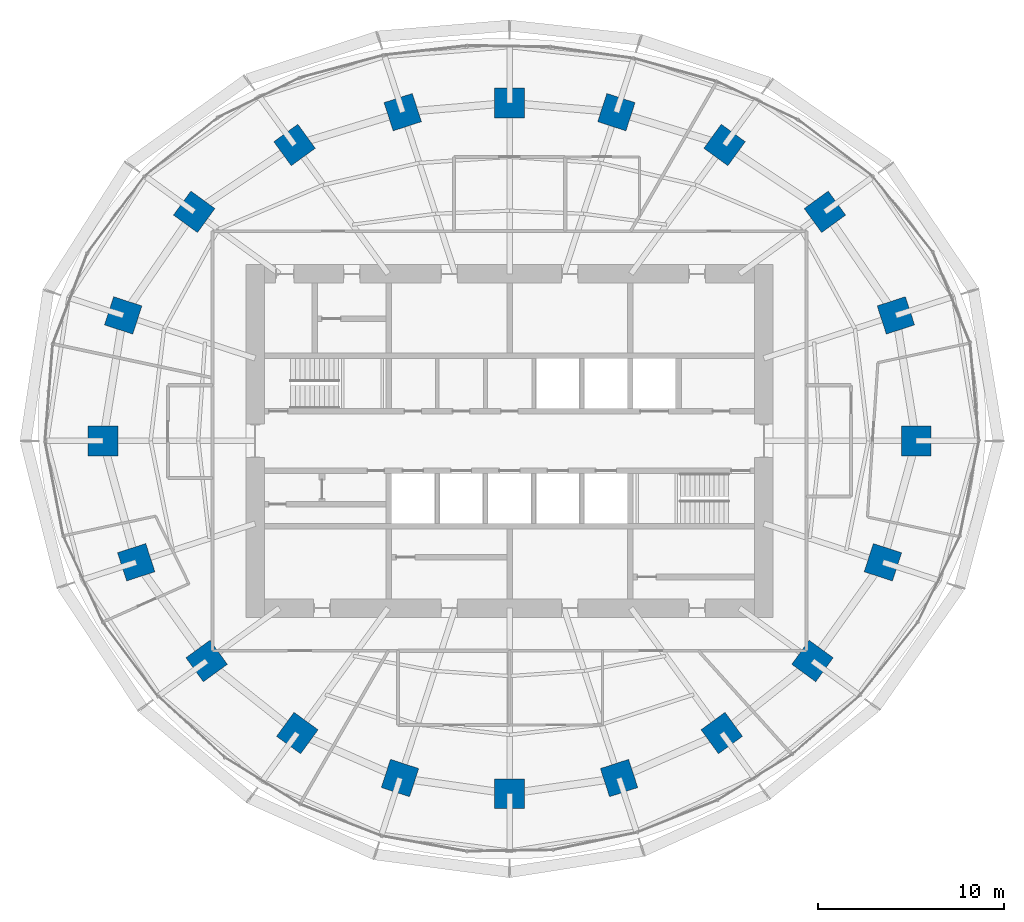
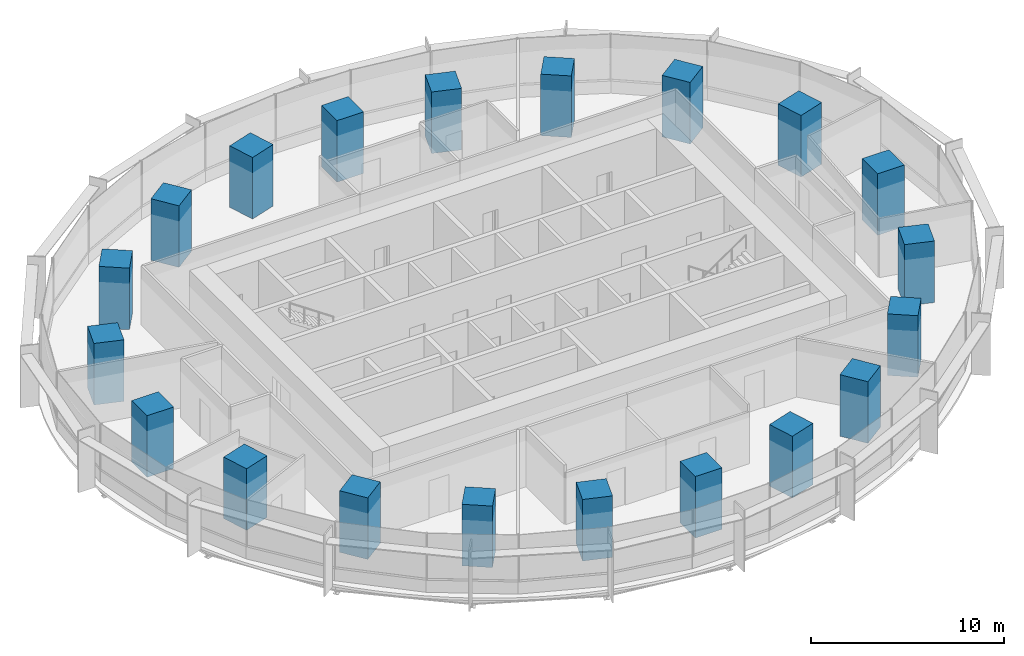
# One storey, part 1 of 14: 20 columns.
"""IFC4 building model written with IfcOpenShell, lengths in metres."""

from ifc_helpers import new_model, si_unit, direction, frame, origin, origin_2d, place, context, subcontext, project, spatial, rectangle, extrude, material, material_profile, profile_set, type_object, element, save


model = new_model("IFC4")

# Units and contexts
model_context = context("Model", 3, precision=1e-05, world=origin(), true_north=direction((0.0, 1.0)))
body_context = subcontext(model_context, "Body", "Model", "MODEL_VIEW")
ifc_project = project(units=[si_unit("LENGTHUNIT", "METRE"), si_unit("AREAUNIT", "SQUARE_METRE"), si_unit("VOLUMEUNIT", "CUBIC_METRE"), si_unit("PLANEANGLEUNIT", "RADIAN"), si_unit("MASSUNIT", "GRAM", prefix="KILO")], contexts=[model_context])

# Site, building, storey
site_placement = place(None, origin())
site = spatial("IfcSite", under=ifc_project, at=site_placement, CompositionType="ELEMENT")
building_placement = place(site_placement, origin())
building = spatial("IfcBuilding", under=site, at=building_placement, Name="Marramba Exchange Tower", CompositionType="ELEMENT")
storey_placement = place(building_placement, frame((0.0, 0.0, 119.699951171875)))
storey = spatial("IfcBuildingStorey", under=building, at=storey_placement, Name="L28", CompositionType="ELEMENT", Elevation=119.699951171875)

# Columns
ifc_material = material(Name="Concrete N50", Category="concrete")
ifc_material_profile = material_profile(ifc_material, rectangle(XDim=1.60009765625, YDim=1.60009765625, at=origin_2d()), Name="RC 1600x1600")
ifc_profile_set = profile_set([ifc_material_profile], Name="Concrete N50")
column_type = type_object("IfcColumnType", Name="Perimeter column RC 1600x1600 N50", PredefinedType="COLUMN", material=ifc_profile_set)
for number, where, z_axis, x_axis, name in (
    (1, (21.89990234375, 0.0, 0.0), (0.0, 0.0, 1.0), (1.0, 0.0, 0.0), "Column TC01 L28"),
    (2, (20.808349609375, 6.760986328125, 0.0), (0.0, 0.0, 1.0), (0.951056516295, 0.309016994375, 0.0), "Column TC02 L28"),
    (3, (16.98583984375, 12.3408203125, 0.0), (0.0, 0.0, 1.0), (0.809016994375, 0.587785252292, 0.0), "Column TC03 L28"),
    (4, (11.581298828125, 15.9404296875, 0.0), (0.0, 0.0, 1.0), (0.587785252292, 0.809016994375, 0.0), "Column TC04 L28"),
    (5, (5.75390625, 17.70849609375, 0.0), (0.0, 0.0, 1.0), (0.309016994375, 0.951056516295, 0.0), "Column TC05 L28"),
    (6, (0.0, 18.2041015625, 0.0), (0.0, 0.0, 1.0), (0.0, 1.0, 0.0), "Column TC06 L28"),
    (7, (-5.75390625, 17.70849609375, 0.0), (0.0, 0.0, 1.0), (-0.309016994375, 0.951056516295, 0.0), "Column TC07 L28"),
    (8, (-11.581298828125, 15.9404296875, 0.0), (0.0, 0.0, 1.0), (-0.587785252292, 0.809016994375, 0.0), "Column TC08 L28"),
    (9, (-16.98583984375, 12.3408203125, 0.0), (0.0, 0.0, 1.0), (-0.809016994375, 0.587785252292, 0.0), "Column TC09 L28"),
    (10, (-20.808349609375, 6.760986328125, 0.0), (0.0, 0.0, 1.0), (-0.951056516295, 0.309016994375, 0.0), "Column TC10 L28"),
    (11, (-21.89990234375, 0.0, 0.0), (0.0, 0.0, 1.0), (-1.0, 0.0, 0.0), "Column TC11 L28"),
    (12, (-20.109375, -6.533935546875, 0.0), (0.0, 0.0, 1.0), (-0.951056516295, -0.309016994375, 0.0), "Column TC12 L28"),
    (13, (-16.3154296875, -11.853759765625, 0.0), (0.0, 0.0, 1.0), (-0.809016994375, -0.587785252292, 0.0), "Column TC13 L28"),
    (14, (-11.430419921875, -15.732666015625, 0.0), (0.0, 0.0, 1.0), (-0.587785252292, -0.809016994375, 0.0), "Column TC14 L28"),
    (15, (-5.899658203125, -18.156982421875, 0.0), (0.0, 0.0, 1.0), (-0.309016994375, -0.951056516295, 0.0), "Column TC15 L28"),
    (16, (0.0, -18.99609375, 0.0), (0.0, 0.0, 1.0), (0.0, -1.0, 0.0), "Column TC16 L28"),
    (17, (5.899658203125, -18.156982421875, 0.0), (0.0, 0.0, 1.0), (0.309016994375, -0.951056516295, 0.0), "Column TC17 L28"),
    (18, (11.430419921875, -15.732666015625, 0.0), (0.0, 0.0, 1.0), (0.587785252292, -0.809016994375, 0.0), "Column TC18 L28"),
    (19, (16.3154296875, -11.853759765625, 0.0), (0.0, 0.0, 1.0), (0.809016994375, -0.587785252292, 0.0), "Column TC19 L28"),
    (20, (20.109375, -6.533935546875, 0.0), (0.0, 0.0, 1.0), (0.951056516295, -0.309016994375, 0.0), "Column TC20 L28"),
):
    element("IfcColumn", number, at=place(storey_placement, frame(where, z_axis=z_axis, x_axis=x_axis)), inside=storey, type_object=column_type, Name=name, PredefinedType="COLUMN", context=body_context, shape_type="SweptSolid", body=[
        extrude(rectangle(XDim=1.60009765625, YDim=1.60009765625, at=origin_2d()), origin(), (0.0, 0.0, 1.0), 3.900146484375),
    ])

save(model, "model.ifc")
